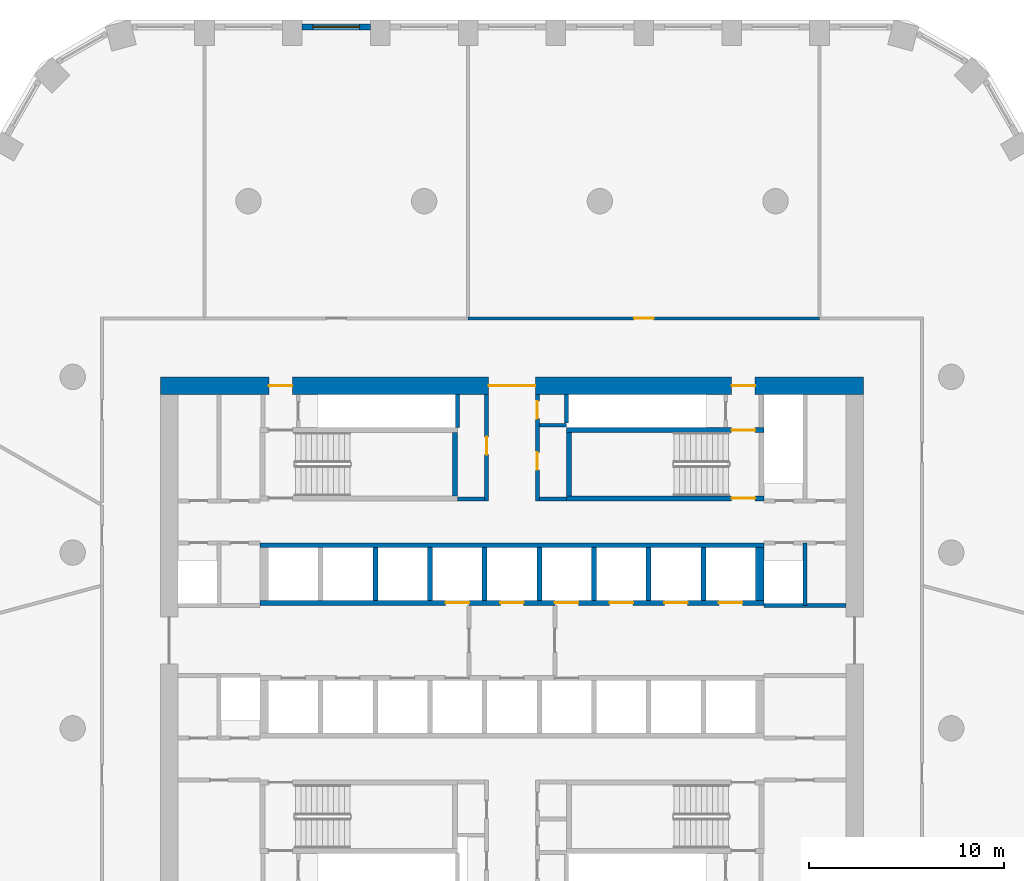
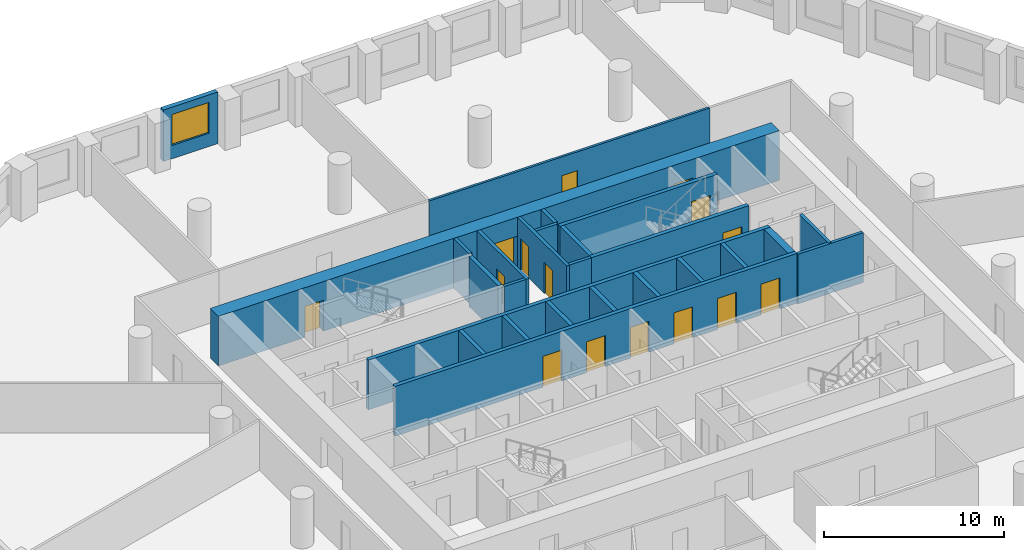
# One storey, part 6 of 9: 26 walls, 15 doors, 1 window, 16 openings.
"""IFC4 building model written with IfcOpenShell, lengths in metres."""

import ifcopenshell
import ifcopenshell.guid

model = None  # the IFC model being written
_history = None  # IfcOwnerHistory: only IFC2X3 demands one
_inside = {}  # id of a spatial element -> (the spatial element, [elements in it])
_under = {}  # id of a project, library or spatial element -> (it, [spatial elements below it])
_declared = {}  # id of a project -> (the project, [libraries it declares])
_typed = {}  # id of a type object -> (the type object, [elements of that type])
_made_of = {}  # id of a material, layer set ... -> (it, [elements and type objects made of it])


def new_model(schema):
    """Start an empty IFC model of exactly this schema.

    Asked for "IFC4X3", IfcOpenShell would pick the latest addendum, in which some entities
    have other attributes; the version numbers below select the first issue.
    IFC2X3 requires an IfcOwnerHistory on every rooted entity: one is made here for all.
    """
    global model, _history
    if schema == "IFC4X3":
        model = ifcopenshell.file(schema_version=(4, 3, 0, 0))
    else:
        model = ifcopenshell.file(schema=schema)
    _inside.clear()
    _under.clear()
    _declared.clear()
    _typed.clear()
    _made_of.clear()
    _history = None
    if model.schema == "IFC2X3":
        org = make("IfcOrganization", Name="unknown")
        user = make(
            "IfcPersonAndOrganization",
            ThePerson=make("IfcPerson", FamilyName="unknown"),
            TheOrganization=org,
        )
        app = make(
            "IfcApplication",
            ApplicationDeveloper=org,
            Version="unknown",
            ApplicationFullName="unknown",
            ApplicationIdentifier="unknown",
        )
        _history = make(
            "IfcOwnerHistory",
            OwningUser=user,
            OwningApplication=app,
            ChangeAction="ADDED",
            CreationDate=0,
        )
    return model


def make(cls, **values):
    """One entity of the class cls with the attributes given. An attribute that is None is left unset."""
    return model.create_entity(
        cls, **{name: value for name, value in values.items() if value is not None}
    )


def rooted(cls, **values):
    """An entity with a GlobalId (a new one), such as an element, a storey or a relation."""
    return make(cls, GlobalId=ifcopenshell.guid.new(), OwnerHistory=_history, **values)


def si_unit(unit_type, name, prefix=None):
    """IfcSIUnit, for example si_unit("LENGTHUNIT", "METRE", prefix="MILLI")."""
    return make("IfcSIUnit", UnitType=unit_type, Prefix=prefix, Name=name)


def assignment(units):
    """IfcUnitAssignment: the units of a project."""
    return None if units is None else make("IfcUnitAssignment", Units=units)


def point(xyz):
    """IfcCartesianPoint."""
    return None if xyz is None else make("IfcCartesianPoint", Coordinates=xyz)


def direction(xyz):
    """IfcDirection."""
    return None if xyz is None else make("IfcDirection", DirectionRatios=xyz)


def frame(location, z_axis=None, x_axis=None):
    """IfcAxis2Placement3D, a coordinate frame: its origin and axes. An axis left out is left unset."""
    return make(
        "IfcAxis2Placement3D",
        Location=point(location),
        Axis=direction(z_axis),
        RefDirection=direction(x_axis),
    )


def frame_2d(location, x_axis=None):
    """IfcAxis2Placement2D, a coordinate frame in the plane: its origin and x axis."""
    return make(
        "IfcAxis2Placement2D", Location=point(location), RefDirection=direction(x_axis)
    )


def origin():
    """The frame at (0, 0, 0) with its axes left unset."""
    return frame((0.0, 0.0, 0.0))


def place(relative_to, where):
    """IfcLocalPlacement: puts the frame where relative to a parent placement (None: the world)."""
    return make(
        "IfcLocalPlacement", PlacementRelTo=relative_to, RelativePlacement=where
    )


def context(
    kind, dimensions, precision=None, world=None, true_north=None, identifier=None
):
    """IfcGeometricRepresentationContext, for example the 3D "Model" context."""
    return make(
        "IfcGeometricRepresentationContext",
        ContextIdentifier=identifier,
        ContextType=kind,
        CoordinateSpaceDimension=dimensions,
        Precision=precision,
        WorldCoordinateSystem=world,
        TrueNorth=true_north,
    )


def subcontext(parent, identifier, kind, view, scale=None):
    """IfcGeometricRepresentationSubContext, for example "Body" below "Model"."""
    return make(
        "IfcGeometricRepresentationSubContext",
        ContextIdentifier=identifier,
        ContextType=kind,
        ParentContext=parent,
        TargetScale=scale,
        TargetView=view,
    )


def project(units=None, contexts=None):
    """IfcProject with its units and contexts."""
    return rooted(
        "IfcProject",
        Name="project",
        RepresentationContexts=contexts,
        UnitsInContext=assignment(units),
    )


def spatial(cls, under=None, at=None, **own):
    """A site, building, storey or space (cls), placed at a placement, below another one or the project."""
    s = rooted(cls, ObjectPlacement=at, **own)
    if under is not None:
        _under.setdefault(under.id(), (under, []))[1].append(s)
    return s


def polyline(points):
    """IfcPolyline through the points."""
    return make("IfcPolyline", Points=[point(p) for p in points])


def profile(cls, at=None, kind="AREA", **sizes):
    """A parametric profile (cls). Its sizes go by their IFC names, for example OverallWidth=200.0."""
    return make(cls, ProfileType=kind, Position=at, **sizes)


def rectangle(**sizes):
    """IfcRectangleProfileDef."""
    return profile("IfcRectangleProfileDef", **sizes)


def outline(outer, holes=None, kind="AREA"):
    """IfcArbitraryClosedProfileDef: a profile drawn as a closed curve; with holes, ...WithVoids."""
    if holes is None:
        return make("IfcArbitraryClosedProfileDef", ProfileType=kind, OuterCurve=outer)
    return make(
        "IfcArbitraryProfileDefWithVoids",
        ProfileType=kind,
        OuterCurve=outer,
        InnerCurves=holes,
    )


def extrude(swept, where, along, depth):
    """IfcExtrudedAreaSolid: the profile swept, set in the frame where, extruded along a direction by depth."""
    return make(
        "IfcExtrudedAreaSolid",
        SweptArea=swept,
        Position=where,
        ExtrudedDirection=direction(along),
        Depth=depth,
    )


def shape(context_of_items, identifier, shape_type, items):
    """IfcShapeRepresentation: the items that make up one representation, for example the "Body"."""
    return make(
        "IfcShapeRepresentation",
        ContextOfItems=context_of_items,
        RepresentationIdentifier=identifier,
        RepresentationType=shape_type,
        Items=items,
    )


def material(Name=None, Category=None):
    """IfcMaterial."""
    return make("IfcMaterial", Name=Name, Category=Category)


def layer(
    of_material, thickness, ventilated=None, Name=None, Category=None, Priority=None
):
    """IfcMaterialLayer: one layer of a wall or slab, of a material (None: an air gap)."""
    return make(
        "IfcMaterialLayer",
        Material=of_material,
        LayerThickness=thickness,
        IsVentilated=ventilated,
        Name=Name,
        Category=Category,
        Priority=Priority,
    )


def layer_set(layers, Name=None):
    """IfcMaterialLayerSet."""
    return make("IfcMaterialLayerSet", MaterialLayers=layers, LayerSetName=Name)


def made_of(thing, what):
    """Note that an element or type object is made of a material, layer set ...; save() writes the relation."""
    if what is not None:
        _made_of.setdefault(what.id(), (what, []))[1].append(thing)
    return thing


def type_object(cls, material=None, **own):
    """A type object (cls), such as IfcWallType, which elements share."""
    return made_of(rooted(cls, **own), material)


def element(
    cls,
    number,
    at=None,
    inside=None,
    cuts=None,
    type_object=None,
    material=None,
    context=None,
    identifier="Body",
    shape_type=None,
    held_by="IfcProductDefinitionShape",
    body=None,
    shapes=None,
    **own,
):
    """One element of the class cls, such as IfcWall. Its Tag is "e" and its number.

    at: its placement. inside: the storey or other place that contains it. cuts: it is an
    opening in that element (IfcRelVoidsElement). A single representation is given by context,
    identifier, shape_type and body (its items); several are given by shapes. held_by: the class
    of the entity that holds the representations. save() writes the other relations.
    """
    e = rooted(cls, Tag="e%d" % number, ObjectPlacement=at, **own)
    if body is not None:
        shapes = [shape(context, identifier, shape_type, body)]
    if shapes is not None:
        e.Representation = make(held_by, Representations=shapes)
    if inside is not None:
        _inside.setdefault(inside.id(), (inside, []))[1].append(e)
    if cuts is not None:
        rooted(
            "IfcRelVoidsElement", RelatingBuildingElement=cuts, RelatedOpeningElement=e
        )
    if type_object is not None:
        _typed.setdefault(type_object.id(), (type_object, []))[1].append(e)
    return made_of(e, material)


def fill(opening, filler):
    """IfcRelFillsElement: the door or window that sits in an opening."""
    return rooted(
        "IfcRelFillsElement",
        RelatingOpeningElement=opening,
        RelatedBuildingElement=filler,
    )


def aggregate(whole, parts):
    """IfcRelAggregates: a whole, such as a stair, and the parts it consists of."""
    return rooted("IfcRelAggregates", RelatingObject=whole, RelatedObjects=parts)


def save(model, path):
    """Write the relations noted so far, then the file.

    IfcRelAggregates (storeys below a building ...), IfcRelContainedInSpatialStructure (elements
    in a storey), IfcRelDefinesByType, IfcRelAssociatesMaterial and IfcRelDeclares: one each for
    every whole, place, type object, material and project.
    """
    for whole, parts in _under.values():
        aggregate(whole, parts)
    for where, things in _inside.values():
        rooted(
            "IfcRelContainedInSpatialStructure",
            RelatedElements=things,
            RelatingStructure=where,
        )
    for kind, things in _typed.values():
        rooted("IfcRelDefinesByType", RelatedObjects=things, RelatingType=kind)
    for what, things in _made_of.values():
        rooted("IfcRelAssociatesMaterial", RelatedObjects=things, RelatingMaterial=what)
    for by, libraries in _declared.values():
        rooted("IfcRelDeclares", RelatingContext=by, RelatedDefinitions=libraries)
    model.write(path)


model = new_model("IFC4")

# Units and contexts
model_context = context("Model", 3, precision=1e-05, world=origin(), true_north=direction((0.0, 1.0)))
body_context = subcontext(model_context, "Body", "Model", "MODEL_VIEW")
ifc_project = project(units=[si_unit("LENGTHUNIT", "METRE"), si_unit("AREAUNIT", "SQUARE_METRE"), si_unit("VOLUMEUNIT", "CUBIC_METRE"), si_unit("PLANEANGLEUNIT", "RADIAN"), si_unit("MASSUNIT", "GRAM", prefix="KILO")], contexts=[model_context])

# Site, building, storey
site_placement = place(None, origin())
site = spatial("IfcSite", under=ifc_project, at=site_placement, CompositionType="ELEMENT")
building_placement = place(site_placement, origin())
building = spatial("IfcBuilding", under=site, at=building_placement, Name="Dhurran Vertical Campus", CompositionType="ELEMENT")
storey_placement = place(building_placement, frame((0.0, 0.0, 124.199951171875)))
storey = spatial("IfcBuildingStorey", under=building, at=storey_placement, Name="L30", CompositionType="ELEMENT", Elevation=124.199951171875)

# Wall, opening, window
ifc_material_1 = material(Name="Precast concrete C50/60", Category="concrete")
ifc_layer_1 = layer(ifc_material_1, 0.300048828125)
ifc_layer_set_1 = layer_set([ifc_layer_1], Name="Precast concrete C50/60")
wall_type_1 = type_object("IfcWallType", Name="Precast spandrel wall 300", PredefinedType="SOLIDWALL", material=ifc_layer_set_1)
wall_1_placement = place(storey_placement, frame((-7.25048828125, 31.4296875, 0.0), z_axis=(0.0, 0.0, 1.0), x_axis=(-1.0, 0.0, 0.0)))
wall_1 = element("IfcWall", 1, at=wall_1_placement, inside=storey, type_object=wall_type_1, Name="EW1 L30.32", PredefinedType="SOLIDWALL", context=body_context, shape_type="SweptSolid", body=[
    extrude(rectangle(XDim=3.4990234375, YDim=0.300048828125, at=frame_2d((1.74951171875, 0.0))), origin(), (0.0, 0.0, 1.0), 3.5),
])
opening_1_placement = place(wall_1_placement, frame((0.549560546875, 0.0, 0.89990234375)))
opening_1 = element("IfcOpeningElement", 2, at=opening_1_placement, cuts=wall_1, Name="Opening WT1", PredefinedType="OPENING", context=body_context, shape_type="SweptSolid", body=[
    extrude(rectangle(XDim=2.39990234375, YDim=2.10009765625, at=frame_2d((1.199951171875, 1.050048828125))), frame((0.0, 0.159912109375, 0.0), z_axis=(0.0, -1.0, 0.0), x_axis=(1.0, 0.0, 0.0)), (0.0, 0.0, 1.0), 0.320068359375),
])
ifc_material_2 = material(Name="Aluminium frame with solar-control glass", Category="aluminium")
window_type = type_object("IfcWindowType", Name="Punched window 2400 x 2100", PartitioningType="SINGLE_PANEL", PredefinedType="WINDOW", material=ifc_material_2)
window_placement = place(opening_1_placement, origin())
window = element("IfcWindow", 3, at=window_placement, inside=storey, type_object=window_type, Name="WT1 L30.32", OverallHeight=2.10009765625, OverallWidth=2.39990234375, PartitioningType="SINGLE_PANEL", PredefinedType="WINDOW", context=body_context, shape_type="SweptSolid", body=[
    extrude(rectangle(XDim=2.39990234375, YDim=2.10009765625, at=frame_2d((1.199951171875, 1.050048828125))), frame((0.0, 0.030029296875, 0.0), z_axis=(0.0, -1.0, 0.0), x_axis=(1.0, 0.0, 0.0)), (0.0, 0.0, 1.0), 0.06005859375),
])
fill(opening_1, window)

# Wall, openings, doors
ifc_material_3 = material(Name="Concrete C60/75", Category="concrete")
ifc_layer_2 = layer(ifc_material_3, 0.89990234375)
ifc_layer_set_2 = layer_set([ifc_layer_2], Name="Concrete C60/75")
wall_type_2 = type_object("IfcWallType", Name="co-CORE-WALL-C0-900", PredefinedType="SHEAR", material=ifc_layer_set_2)
wall_2_placement = place(storey_placement, frame((-18.0, 13.050048828125, 0.0), z_axis=(0.0, 0.0, 1.0), x_axis=(1.0, 0.0, 0.0)))
wall_2 = element("IfcWall", 4, at=wall_2_placement, inside=storey, type_object=wall_type_2, Name="Core wall N L30", PredefinedType="SHEAR", context=body_context, shape_type="SweptSolid", body=[
    extrude(rectangle(XDim=36.0, YDim=0.89990234375, at=frame_2d((18.0, 0.0))), origin(), (0.0, 0.0, 1.0), 3.375),
])
opening_2_placement = place(wall_2_placement, frame((16.800048828125, 0.0, 0.0)))
opening_2 = element("IfcOpeningElement", 5, at=opening_2_placement, cuts=wall_2, Name="Opening CV1", PredefinedType="OPENING", context=body_context, shape_type="SweptSolid", body=[
    extrude(rectangle(XDim=2.39990234375, YDim=2.10009765625, at=frame_2d((1.199951171875, 1.050048828125))), frame((0.0, 0.4599609375, 0.0), z_axis=(0.0, -1.0, 0.0), x_axis=(1.0, 0.0, 0.0)), (0.0, 0.0, 1.0), 0.919921875),
])
opening_3_placement = place(wall_2_placement, frame((5.550048828125, 0.0, 0.0)))
opening_3 = element("IfcOpeningElement", 6, at=opening_3_placement, cuts=wall_2, Name="Opening XD1", PredefinedType="OPENING", context=body_context, shape_type="SweptSolid", body=[
    extrude(rectangle(XDim=1.199951171875, YDim=2.10009765625, at=frame_2d((0.60009765625, 1.050048828125))), frame((0.0, 0.4599609375, 0.0), z_axis=(0.0, -1.0, 0.0), x_axis=(1.0, 0.0, 0.0)), (0.0, 0.0, 1.0), 0.919921875),
])
opening_4_placement = place(wall_2_placement, frame((29.25, 0.0, 0.0)))
opening_4 = element("IfcOpeningElement", 7, at=opening_4_placement, cuts=wall_2, Name="Opening XD2", PredefinedType="OPENING", context=body_context, shape_type="SweptSolid", body=[
    extrude(rectangle(XDim=1.199951171875, YDim=2.10009765625, at=frame_2d((0.60009765625, 1.050048828125))), frame((0.0, 0.4599609375, 0.0), z_axis=(0.0, -1.0, 0.0), x_axis=(1.0, 0.0, 0.0)), (0.0, 0.0, 1.0), 0.919921875),
])
ifc_material_4 = material(Name="Fire-rated glazed door set")
door_type_1 = type_object("IfcDoorType", Name="co-D-LOBBY 2400x2100", OperationType="DOUBLE_DOOR_DOUBLE_SWING", PredefinedType="DOOR", material=ifc_material_4)
door_1_placement = place(opening_2_placement, origin())
door_1 = element("IfcDoor", 8, at=door_1_placement, inside=storey, type_object=door_type_1, Name="Core vestibule door N L30", OperationType="DOUBLE_DOOR_DOUBLE_SWING", OverallHeight=2.10009765625, OverallWidth=2.39990234375, PredefinedType="DOOR", context=body_context, shape_type="SweptSolid", body=[
    extrude(rectangle(XDim=2.39990234375, YDim=2.10009765625, at=frame_2d((1.199951171875, 1.050048828125))), frame((0.0, 0.02490234375, 0.0), z_axis=(0.0, -1.0, 0.0), x_axis=(1.0, 0.0, 0.0)), (0.0, 0.0, 1.0), 0.050048828125),
])
fill(opening_2, door_1)
ifc_material_5 = material(Name="Fire-rated steel door set", Category="steel")
door_type_2 = type_object("IfcDoorType", Name="co-D-STAIR-EXIT 1200x2100", OperationType="SINGLE_SWING_RIGHT", PredefinedType="DOOR", material=ifc_material_5)
door_2_placement = place(opening_3_placement, origin())
door_2 = element("IfcDoor", 9, at=door_2_placement, inside=storey, type_object=door_type_2, Name="Stair ST1 exit door L30", OperationType="SINGLE_SWING_RIGHT", OverallHeight=2.10009765625, OverallWidth=1.199951171875, PredefinedType="DOOR", context=body_context, shape_type="SweptSolid", body=[
    extrude(rectangle(XDim=1.199951171875, YDim=2.10009765625, at=frame_2d((0.60009765625, 1.050048828125))), frame((0.0, 0.02490234375, 0.0), z_axis=(0.0, -1.0, 0.0), x_axis=(1.0, 0.0, 0.0)), (0.0, 0.0, 1.0), 0.050048828125),
])
fill(opening_3, door_2)
door_3_placement = place(opening_4_placement, origin())
door_3 = element("IfcDoor", 10, at=door_3_placement, inside=storey, type_object=door_type_2, Name="Stair ST2 exit door L30", OperationType="SINGLE_SWING_RIGHT", OverallHeight=2.10009765625, OverallWidth=1.199951171875, PredefinedType="DOOR", context=body_context, shape_type="SweptSolid", body=[
    extrude(rectangle(XDim=1.199951171875, YDim=2.10009765625, at=frame_2d((0.60009765625, 1.050048828125))), frame((0.0, 0.02490234375, 0.0), z_axis=(0.0, -1.0, 0.0), x_axis=(1.0, 0.0, 0.0)), (0.0, 0.0, 1.0), 0.050048828125),
])
fill(opening_4, door_3)

# Walls
ifc_material_6 = material(Name="Fire-rated masonry blockwork", Category="masonry")
ifc_layer_3 = layer(ifc_material_6, 0.199951171875)
ifc_layer_set_3 = layer_set([ifc_layer_3], Name="Fire-rated masonry blockwork")
wall_type_3 = type_object("IfcWallType", Name="co-FIRE-PARTITION-200", PredefinedType="PARTITIONING", material=ifc_layer_set_3)
for number, where, z_axis, x_axis, name in (
    (11, (-2.800048828125, 7.25, 0.0), (0.0, 0.0, 1.0), (1.0, 0.0, 0.0), "Core partition sl-NW-S L30"),
    (12, (1.39990234375, 7.25, 0.0), (0.0, 0.0, 1.0), (1.0, 0.0, 0.0), "Core partition sl-NE-S L30"),
    (13, (1.39990234375, 11.02490234375, 0.0), (0.0, 0.0, 1.0), (1.0, 0.0, 0.0), "Core partition sl-NE-cut0 L30"),
):
    element("IfcWall", number, at=place(storey_placement, frame(where, z_axis=z_axis, x_axis=x_axis)), inside=storey, type_object=wall_type_3, Name=name, PredefinedType="PARTITIONING", context=body_context, shape_type="SweptSolid", body=[
        extrude(rectangle(XDim=1.400146484375, YDim=0.199951171875, at=frame_2d((0.7001953125, 0.0))), origin(), (0.0, 0.0, 1.0), 3.375),
    ])

# Wall, opening, door
wall_3_placement = place(storey_placement, frame((-1.300048828125, 7.14990234375, 0.0), z_axis=(0.0, 0.0, 1.0), x_axis=(0.0, 1.0, 0.0)))
wall_3 = element("IfcWall", 14, at=wall_3_placement, inside=storey, type_object=wall_type_3, Name="Core partition vest-NW L30", PredefinedType="PARTITIONING", context=body_context, shape_type="SweptSolid", body=[
    extrude(rectangle(XDim=5.4501953125, YDim=0.199951171875, at=frame_2d((2.72509765625, 0.0))), origin(), (0.0, 0.0, 1.0), 3.375),
])
opening_5_placement = place(wall_3_placement, frame((2.375, 0.0, 0.0)))
opening_5 = element("IfcOpeningElement", 15, at=opening_5_placement, cuts=wall_3, Name="Opening T08-C6", PredefinedType="OPENING", context=body_context, shape_type="SweptSolid", body=[
    extrude(rectangle(XDim=0.89990234375, YDim=2.10009765625, at=frame_2d((0.449951171875, 1.050048828125))), frame((0.0, 0.10986328125, 0.0), z_axis=(0.0, -1.0, 0.0), x_axis=(1.0, 0.0, 0.0)), (0.0, 0.0, 1.0), 0.219970703125),
])
ifc_material_7 = material(Name="Fire-rated timber door set", Category="wood")
door_type_3 = type_object("IfcDoorType", Name="co-D-ROOM 900x2100", OperationType="SINGLE_SWING_LEFT", PredefinedType="DOOR", material=ifc_material_7)
door_4_placement = place(opening_5_placement, origin())
door_4 = element("IfcDoor", 16, at=door_4_placement, inside=storey, type_object=door_type_3, Name="Housekeeping store door L30", OperationType="SINGLE_SWING_LEFT", OverallHeight=2.10009765625, OverallWidth=0.89990234375, PredefinedType="DOOR", context=body_context, shape_type="SweptSolid", body=[
    extrude(rectangle(XDim=0.89990234375, YDim=2.10009765625, at=frame_2d((0.449951171875, 1.050048828125))), frame((0.0, 0.02490234375, 0.0), z_axis=(0.0, -1.0, 0.0), x_axis=(1.0, 0.0, 0.0)), (0.0, 0.0, 1.0), 0.050048828125),
])
fill(opening_5, door_4)

# Wall, openings, doors
wall_4_placement = place(storey_placement, frame((1.300048828125, 7.14990234375, 0.0), z_axis=(0.0, 0.0, 1.0), x_axis=(0.0, 1.0, 0.0)))
wall_4 = element("IfcWall", 17, at=wall_4_placement, inside=storey, type_object=wall_type_3, Name="Core partition vest-NE L30", PredefinedType="PARTITIONING", context=body_context, shape_type="SweptSolid", body=[
    extrude(rectangle(XDim=5.4501953125, YDim=0.199951171875, at=frame_2d((2.72509765625, 0.0))), origin(), (0.0, 0.0, 1.0), 3.375),
])
opening_6_placement = place(wall_4_placement, frame((1.58740234375, 0.0, 0.0)))
opening_6 = element("IfcOpeningElement", 18, at=opening_6_placement, cuts=wall_4, Name="Opening T08-C7", PredefinedType="OPENING", context=body_context, shape_type="SweptSolid", body=[
    extrude(rectangle(XDim=0.89990234375, YDim=2.10009765625, at=frame_2d((0.449951171875, 1.050048828125))), frame((0.0, 0.10986328125, 0.0), z_axis=(0.0, -1.0, 0.0), x_axis=(1.0, 0.0, 0.0)), (0.0, 0.0, 1.0), 0.219970703125),
])
opening_7_placement = place(wall_4_placement, frame((4.21240234375, 0.0, 0.0)))
opening_7 = element("IfcOpeningElement", 19, at=opening_7_placement, cuts=wall_4, Name="Opening T08-C8", PredefinedType="OPENING", context=body_context, shape_type="SweptSolid", body=[
    extrude(rectangle(XDim=0.89990234375, YDim=2.10009765625, at=frame_2d((0.449951171875, 1.050048828125))), frame((0.0, 0.10986328125, 0.0), z_axis=(0.0, -1.0, 0.0), x_axis=(1.0, 0.0, 0.0)), (0.0, 0.0, 1.0), 0.219970703125),
])
door_5_placement = place(opening_6_placement, origin())
door_5 = element("IfcDoor", 20, at=door_5_placement, inside=storey, type_object=door_type_3, Name="Fire equipment store door L30", OperationType="SINGLE_SWING_LEFT", OverallHeight=2.10009765625, OverallWidth=0.89990234375, PredefinedType="DOOR", context=body_context, shape_type="SweptSolid", body=[
    extrude(rectangle(XDim=0.89990234375, YDim=2.10009765625, at=frame_2d((0.449951171875, 1.050048828125))), frame((0.0, 0.02490234375, 0.0), z_axis=(0.0, -1.0, 0.0), x_axis=(1.0, 0.0, 0.0)), (0.0, 0.0, 1.0), 0.050048828125),
])
fill(opening_6, door_5)
door_6_placement = place(opening_7_placement, origin())
door_6 = element("IfcDoor", 21, at=door_6_placement, inside=storey, type_object=door_type_3, Name="Communications room door L30", OperationType="SINGLE_SWING_LEFT", OverallHeight=2.10009765625, OverallWidth=0.89990234375, PredefinedType="DOOR", context=body_context, shape_type="SweptSolid", body=[
    extrude(rectangle(XDim=0.89990234375, YDim=2.10009765625, at=frame_2d((0.449951171875, 1.050048828125))), frame((0.0, 0.02490234375, 0.0), z_axis=(0.0, -1.0, 0.0), x_axis=(1.0, 0.0, 0.0)), (0.0, 0.0, 1.0), 0.050048828125),
])
fill(opening_7, door_6)

# Walls
wall_5_placement = place(storey_placement, frame((15.0, 1.800048828125, 0.0), z_axis=(0.0, 0.0, 1.0), x_axis=(0.0, 1.0, 0.0)))
element("IfcWall", 22, at=wall_5_placement, inside=storey, type_object=wall_type_3, Name="Core partition es-NE-cut0 L30", PredefinedType="PARTITIONING", context=body_context, shape_type="SweptSolid", body=[
    extrude(rectangle(XDim=3.199951171875, YDim=0.199951171875, at=frame_2d((1.60009765625, 0.0))), origin(), (0.0, 0.0, 1.0), 3.375),
])
wall_6_placement = place(storey_placement, frame((12.89990234375, 1.800048828125, 0.0), z_axis=(0.0, 0.0, 1.0), x_axis=(1.0, 0.0, 0.0)))
element("IfcWall", 23, at=wall_6_placement, inside=storey, type_object=wall_type_3, Name="Core partition es-NE-l L30", PredefinedType="PARTITIONING", context=body_context, shape_type="SweptSolid", body=[
    extrude(rectangle(XDim=4.2001953125, YDim=0.199951171875, at=frame_2d((2.10009765625, 0.0))), origin(), (0.0, 0.0, 1.0), 3.375),
])
wall_7_placement = place(storey_placement, frame((-2.800048828125, 10.90087890625, 0.0), z_axis=(0.0, 0.0, 1.0), x_axis=(0.0, 1.0, 0.0)))
element("IfcWall", 24, at=wall_7_placement, inside=storey, type_object=wall_type_3, Name="Riser enclosure wall L30", PredefinedType="PARTITIONING", context=body_context, shape_type="SweptSolid", body=[
    extrude(rectangle(XDim=1.6982421875, YDim=0.199951171875, at=frame_2d((0.84912109375, 0.0))), origin(), (0.0, 0.0, 1.0), 3.375),
])
wall_8_placement = place(storey_placement, frame((2.800048828125, 12.59912109375, 0.0), z_axis=(0.0, 0.0, 1.0), x_axis=(0.0, -1.0, 0.0)))
element("IfcWall", 25, at=wall_8_placement, inside=storey, type_object=wall_type_3, Name="Riser enclosure wall L30", PredefinedType="PARTITIONING", context=body_context, shape_type="SweptSolid", body=[
    extrude(rectangle(XDim=1.47314453125, YDim=0.199951171875, at=frame_2d((0.736572265625, 0.0))), origin(), (0.0, 0.0, 1.0), 3.375),
])

# Wall, openings, doors
ifc_material_8 = material(Name="Concrete C50/60", Category="concrete")
ifc_layer_4 = layer(ifc_material_8, 0.25)
ifc_layer_set_4 = layer_set([ifc_layer_4], Name="Concrete C50/60")
wall_type_4 = type_object("IfcWallType", Name="co-SHAFT-FRONT-250", PredefinedType="SHEAR", material=ifc_layer_set_4)
wall_9_placement = place(storey_placement, frame((-12.89990234375, 1.925048828125, 0.0), z_axis=(0.0, 0.0, 1.0), x_axis=(1.0, 0.0, 0.0)))
wall_9 = element("IfcWall", 26, at=wall_9_placement, inside=storey, type_object=wall_type_4, Name="Lift landing wall N L30", PredefinedType="SHEAR", context=body_context, shape_type="SweptSolid", body=[
    extrude(rectangle(XDim=25.7998046875, YDim=0.25, at=frame_2d((12.89990234375, 0.0))), origin(), (0.0, 0.0, 1.0), 3.375),
])
opening_8_placement = place(wall_9_placement, frame((9.5, 0.0, 0.0)))
opening_8 = element("IfcOpeningElement", 27, at=opening_8_placement, cuts=wall_9, Name="Opening LD", PredefinedType="OPENING", context=body_context, shape_type="SweptSolid", body=[
    extrude(rectangle(XDim=1.199951171875, YDim=2.10009765625, at=frame_2d((0.60009765625, 1.050048828125))), frame((0.0, 0.135009765625, 0.0), z_axis=(0.0, -1.0, 0.0), x_axis=(1.0, 0.0, 0.0)), (0.0, 0.0, 1.0), 0.27001953125),
])
opening_9_placement = place(wall_9_placement, frame((12.300048828125, 0.0, 0.0)))
opening_9 = element("IfcOpeningElement", 28, at=opening_9_placement, cuts=wall_9, Name="Opening LD", PredefinedType="OPENING", context=body_context, shape_type="SweptSolid", body=[
    extrude(rectangle(XDim=1.199951171875, YDim=2.10009765625, at=frame_2d((0.60009765625, 1.050048828125))), frame((0.0, 0.135009765625, 0.0), z_axis=(0.0, -1.0, 0.0), x_axis=(1.0, 0.0, 0.0)), (0.0, 0.0, 1.0), 0.27001953125),
])
opening_10_placement = place(wall_9_placement, frame((15.10009765625, 0.0, 0.0)))
opening_10 = element("IfcOpeningElement", 29, at=opening_10_placement, cuts=wall_9, Name="Opening LD", PredefinedType="OPENING", context=body_context, shape_type="SweptSolid", body=[
    extrude(rectangle(XDim=1.199951171875, YDim=2.10009765625, at=frame_2d((0.60009765625, 1.050048828125))), frame((0.0, 0.135009765625, 0.0), z_axis=(0.0, -1.0, 0.0), x_axis=(1.0, 0.0, 0.0)), (0.0, 0.0, 1.0), 0.27001953125),
])
opening_11_placement = place(wall_9_placement, frame((17.89990234375, 0.0, 0.0)))
opening_11 = element("IfcOpeningElement", 30, at=opening_11_placement, cuts=wall_9, Name="Opening LD", PredefinedType="OPENING", context=body_context, shape_type="SweptSolid", body=[
    extrude(rectangle(XDim=1.199951171875, YDim=2.10009765625, at=frame_2d((0.60009765625, 1.050048828125))), frame((0.0, 0.135009765625, 0.0), z_axis=(0.0, -1.0, 0.0), x_axis=(1.0, 0.0, 0.0)), (0.0, 0.0, 1.0), 0.27001953125),
])
opening_12_placement = place(wall_9_placement, frame((20.699951171875, 0.0, 0.0)))
opening_12 = element("IfcOpeningElement", 31, at=opening_12_placement, cuts=wall_9, Name="Opening LD", PredefinedType="OPENING", context=body_context, shape_type="SweptSolid", body=[
    extrude(rectangle(XDim=1.199951171875, YDim=2.10009765625, at=frame_2d((0.60009765625, 1.050048828125))), frame((0.0, 0.135009765625, 0.0), z_axis=(0.0, -1.0, 0.0), x_axis=(1.0, 0.0, 0.0)), (0.0, 0.0, 1.0), 0.27001953125),
])
opening_13_placement = place(wall_9_placement, frame((23.5, 0.0, 0.0)))
opening_13 = element("IfcOpeningElement", 32, at=opening_13_placement, cuts=wall_9, Name="Opening LD", PredefinedType="OPENING", context=body_context, shape_type="SweptSolid", body=[
    extrude(rectangle(XDim=1.199951171875, YDim=2.10009765625, at=frame_2d((0.60009765625, 1.050048828125))), frame((0.0, 0.135009765625, 0.0), z_axis=(0.0, -1.0, 0.0), x_axis=(1.0, 0.0, 0.0)), (0.0, 0.0, 1.0), 0.27001953125),
])
ifc_material_9 = material(Name="Stainless steel landing door", Category="steel")
door_type_4 = type_object("IfcDoorType", Name="co-D-LANDING 1200x2100", OperationType="DOUBLE_DOOR_SLIDING", PredefinedType="DOOR", material=ifc_material_9)
door_7_placement = place(opening_8_placement, origin())
door_7 = element("IfcDoor", 33, at=door_7_placement, inside=storey, type_object=door_type_4, Name="Landing door LR1 L30", OperationType="DOUBLE_DOOR_SLIDING", OverallHeight=2.10009765625, OverallWidth=1.199951171875, PredefinedType="DOOR", context=body_context, shape_type="SweptSolid", body=[
    extrude(rectangle(XDim=1.199951171875, YDim=2.10009765625, at=frame_2d((0.60009765625, 1.050048828125))), frame((0.0, 0.02490234375, 0.0), z_axis=(0.0, -1.0, 0.0), x_axis=(1.0, 0.0, 0.0)), (0.0, 0.0, 1.0), 0.050048828125),
])
fill(opening_8, door_7)
door_8_placement = place(opening_9_placement, origin())
door_8 = element("IfcDoor", 34, at=door_8_placement, inside=storey, type_object=door_type_4, Name="Landing door FF1 L30", OperationType="DOUBLE_DOOR_SLIDING", OverallHeight=2.10009765625, OverallWidth=1.199951171875, PredefinedType="DOOR", context=body_context, shape_type="SweptSolid", body=[
    extrude(rectangle(XDim=1.199951171875, YDim=2.10009765625, at=frame_2d((0.60009765625, 1.050048828125))), frame((0.0, 0.02490234375, 0.0), z_axis=(0.0, -1.0, 0.0), x_axis=(1.0, 0.0, 0.0)), (0.0, 0.0, 1.0), 0.050048828125),
])
fill(opening_9, door_8)
door_9_placement = place(opening_10_placement, origin())
door_9 = element("IfcDoor", 35, at=door_9_placement, inside=storey, type_object=door_type_4, Name="Landing door LR2 L30", OperationType="DOUBLE_DOOR_SLIDING", OverallHeight=2.10009765625, OverallWidth=1.199951171875, PredefinedType="DOOR", context=body_context, shape_type="SweptSolid", body=[
    extrude(rectangle(XDim=1.199951171875, YDim=2.10009765625, at=frame_2d((0.60009765625, 1.050048828125))), frame((0.0, 0.02490234375, 0.0), z_axis=(0.0, -1.0, 0.0), x_axis=(1.0, 0.0, 0.0)), (0.0, 0.0, 1.0), 0.050048828125),
])
fill(opening_10, door_9)
door_10_placement = place(opening_11_placement, origin())
door_10 = element("IfcDoor", 36, at=door_10_placement, inside=storey, type_object=door_type_4, Name="Landing door LR3 L30", OperationType="DOUBLE_DOOR_SLIDING", OverallHeight=2.10009765625, OverallWidth=1.199951171875, PredefinedType="DOOR", context=body_context, shape_type="SweptSolid", body=[
    extrude(rectangle(XDim=1.199951171875, YDim=2.10009765625, at=frame_2d((0.60009765625, 1.050048828125))), frame((0.0, 0.02490234375, 0.0), z_axis=(0.0, -1.0, 0.0), x_axis=(1.0, 0.0, 0.0)), (0.0, 0.0, 1.0), 0.050048828125),
])
fill(opening_11, door_10)
door_11_placement = place(opening_12_placement, origin())
door_11 = element("IfcDoor", 37, at=door_11_placement, inside=storey, type_object=door_type_4, Name="Landing door LR4 L30", OperationType="DOUBLE_DOOR_SLIDING", OverallHeight=2.10009765625, OverallWidth=1.199951171875, PredefinedType="DOOR", context=body_context, shape_type="SweptSolid", body=[
    extrude(rectangle(XDim=1.199951171875, YDim=2.10009765625, at=frame_2d((0.60009765625, 1.050048828125))), frame((0.0, 0.02490234375, 0.0), z_axis=(0.0, -1.0, 0.0), x_axis=(1.0, 0.0, 0.0)), (0.0, 0.0, 1.0), 0.050048828125),
])
fill(opening_12, door_11)
door_12_placement = place(opening_13_placement, origin())
door_12 = element("IfcDoor", 38, at=door_12_placement, inside=storey, type_object=door_type_4, Name="Landing door SV2 L30", OperationType="DOUBLE_DOOR_SLIDING", OverallHeight=2.10009765625, OverallWidth=1.199951171875, PredefinedType="DOOR", context=body_context, shape_type="SweptSolid", body=[
    extrude(rectangle(XDim=1.199951171875, YDim=2.10009765625, at=frame_2d((0.60009765625, 1.050048828125))), frame((0.0, 0.02490234375, 0.0), z_axis=(0.0, -1.0, 0.0), x_axis=(1.0, 0.0, 0.0)), (0.0, 0.0, 1.0), 0.050048828125),
])
fill(opening_13, door_12)

# Walls
ifc_material_10 = material(Name="Concrete C50/60", Category="concrete")
ifc_layer_5 = layer(ifc_material_10, 0.25)
ifc_layer_set_5 = layer_set([ifc_layer_5], Name="Concrete C50/60")
wall_type_5 = type_object("IfcWallType", Name="co-SHAFT-MASS-250", PredefinedType="SHEAR", material=ifc_layer_set_5)
wall_10_placement = place(storey_placement, origin())
element("IfcWall", 39, at=wall_10_placement, inside=storey, type_object=wall_type_5, Name="Lift shaft wall N L30 1", PredefinedType="SHEAR", context=body_context, shape_type="SweptSolid", body=[
    extrude(outline(polyline([(-12.89990234375, 4.75), (12.89990234375, 4.75), (12.89990234375, 5.0), (-12.89990234375, 5.0), (-12.89990234375, 4.75)])), origin(), (0.0, 0.0, 1.0), 3.375),
])
wall_11_placement = place(storey_placement, origin())
element("IfcWall", 40, at=wall_11_placement, inside=storey, type_object=wall_type_5, Name="Lift shaft wall N L30 4", PredefinedType="SHEAR", context=body_context, shape_type="SweptSolid", body=[
    extrude(outline(polyline([(-7.125, 2.050048828125), (-6.875, 2.050048828125), (-6.875, 4.75), (-7.125, 4.75), (-7.125, 2.050048828125)])), origin(), (0.0, 0.0, 1.0), 3.375),
])
wall_12_placement = place(storey_placement, origin())
element("IfcWall", 41, at=wall_12_placement, inside=storey, type_object=wall_type_5, Name="Lift shaft wall N L30 5", PredefinedType="SHEAR", context=body_context, shape_type="SweptSolid", body=[
    extrude(outline(polyline([(-4.324951171875, 2.050048828125), (-4.074951171875, 2.050048828125), (-4.074951171875, 4.75), (-4.324951171875, 4.75), (-4.324951171875, 2.050048828125)])), origin(), (0.0, 0.0, 1.0), 3.375),
])
wall_13_placement = place(storey_placement, origin())
element("IfcWall", 42, at=wall_13_placement, inside=storey, type_object=wall_type_5, Name="Lift shaft wall N L30 6", PredefinedType="SHEAR", context=body_context, shape_type="SweptSolid", body=[
    extrude(outline(polyline([(-1.52490234375, 2.050048828125), (-1.27490234375, 2.050048828125), (-1.27490234375, 4.75), (-1.52490234375, 4.75), (-1.52490234375, 2.050048828125)])), origin(), (0.0, 0.0, 1.0), 3.375),
])
wall_14_placement = place(storey_placement, origin())
element("IfcWall", 43, at=wall_14_placement, inside=storey, type_object=wall_type_5, Name="Lift shaft wall N L30 7", PredefinedType="SHEAR", context=body_context, shape_type="SweptSolid", body=[
    extrude(outline(polyline([(1.27490234375, 2.050048828125), (1.52490234375, 2.050048828125), (1.52490234375, 4.75), (1.27490234375, 4.75), (1.27490234375, 2.050048828125)])), origin(), (0.0, 0.0, 1.0), 3.375),
])
wall_15_placement = place(storey_placement, origin())
element("IfcWall", 44, at=wall_15_placement, inside=storey, type_object=wall_type_5, Name="Lift shaft wall N L30 8", PredefinedType="SHEAR", context=body_context, shape_type="SweptSolid", body=[
    extrude(outline(polyline([(4.074951171875, 2.050048828125), (4.324951171875, 2.050048828125), (4.324951171875, 4.75), (4.074951171875, 4.75), (4.074951171875, 2.050048828125)])), origin(), (0.0, 0.0, 1.0), 3.375),
])
wall_16_placement = place(storey_placement, origin())
element("IfcWall", 45, at=wall_16_placement, inside=storey, type_object=wall_type_5, Name="Lift shaft wall N L30 9", PredefinedType="SHEAR", context=body_context, shape_type="SweptSolid", body=[
    extrude(outline(polyline([(6.875, 2.050048828125), (7.125, 2.050048828125), (7.125, 4.75), (6.875, 4.75), (6.875, 2.050048828125)])), origin(), (0.0, 0.0, 1.0), 3.375),
])
wall_17_placement = place(storey_placement, origin())
element("IfcWall", 46, at=wall_17_placement, inside=storey, type_object=wall_type_5, Name="Lift shaft wall N L30 10", PredefinedType="SHEAR", context=body_context, shape_type="SweptSolid", body=[
    extrude(outline(polyline([(9.675048828125, 2.050048828125), (9.925048828125, 2.050048828125), (9.925048828125, 4.75), (9.675048828125, 4.75), (9.675048828125, 2.050048828125)])), origin(), (0.0, 0.0, 1.0), 3.375),
])
wall_18_placement = place(storey_placement, origin())
element("IfcWall", 47, at=wall_18_placement, inside=storey, type_object=wall_type_5, Name="Lift shaft wall N L30 11", PredefinedType="SHEAR", context=body_context, shape_type="SweptSolid", body=[
    extrude(outline(polyline([(12.47509765625, 2.050048828125), (12.89990234375, 2.050048828125), (12.89990234375, 4.75), (12.47509765625, 4.75), (12.47509765625, 2.050048828125)])), origin(), (0.0, 0.0, 1.0), 3.375),
])
ifc_material_11 = material(Name="Concrete C40/50", Category="concrete")
ifc_layer_6 = layer(ifc_material_11, 0.25)
ifc_layer_set_6 = layer_set([ifc_layer_6], Name="Concrete C40/50")
wall_type_6 = type_object("IfcWallType", Name="co-STAIR-WALL-250", PredefinedType="SHEAR", material=ifc_layer_set_6)
wall_19_placement = place(storey_placement, frame((-2.925048828125, 7.39990234375, 0.0), z_axis=(0.0, 0.0, 1.0), x_axis=(0.0, 1.0, 0.0)))
element("IfcWall", 48, at=wall_19_placement, inside=storey, type_object=wall_type_6, Name="Stair ST1 enclosure wall L30", PredefinedType="SHEAR", context=body_context, shape_type="SweptSolid", body=[
    extrude(rectangle(XDim=3.25, YDim=0.25, at=frame_2d((1.625, 0.0))), origin(), (0.0, 0.0, 1.0), 3.375),
])

# Wall, opening, door
wall_20_placement = place(storey_placement, frame((2.800048828125, 7.27490234375, 0.0), z_axis=(0.0, 0.0, 1.0), x_axis=(1.0, 0.0, 0.0)))
wall_20 = element("IfcWall", 49, at=wall_20_placement, inside=storey, type_object=wall_type_6, Name="Stair ST2 enclosure wall L30", PredefinedType="SHEAR", context=body_context, shape_type="SweptSolid", body=[
    extrude(rectangle(XDim=10.099853515625, YDim=0.25, at=frame_2d((5.0498046875, 0.0))), origin(), (0.0, 0.0, 1.0), 3.375),
])
opening_14_placement = place(wall_20_placement, frame((8.449951171875, 0.0, 0.0)))
opening_14 = element("IfcOpeningElement", 50, at=opening_14_placement, cuts=wall_20, Name="Opening SD2", PredefinedType="OPENING", context=body_context, shape_type="SweptSolid", body=[
    extrude(rectangle(XDim=1.199951171875, YDim=2.10009765625, at=frame_2d((0.60009765625, 1.050048828125))), frame((0.0, 0.135009765625, 0.0), z_axis=(0.0, -1.0, 0.0), x_axis=(1.0, 0.0, 0.0)), (0.0, 0.0, 1.0), 0.27001953125),
])
ifc_material_12 = material(Name="Fire-rated steel door set", Category="steel")
door_type_5 = type_object("IfcDoorType", Name="co-D-STAIR 1200x2100", OperationType="SINGLE_SWING_LEFT", PredefinedType="DOOR", material=ifc_material_12)
door_13_placement = place(opening_14_placement, origin())
door_13 = element("IfcDoor", 51, at=door_13_placement, inside=storey, type_object=door_type_5, Name="Stair ST2 door L30", OperationType="SINGLE_SWING_LEFT", OverallHeight=2.10009765625, OverallWidth=1.199951171875, PredefinedType="DOOR", context=body_context, shape_type="SweptSolid", body=[
    extrude(rectangle(XDim=1.199951171875, YDim=2.10009765625, at=frame_2d((0.60009765625, 1.050048828125))), frame((0.0, 0.02490234375, 0.0), z_axis=(0.0, -1.0, 0.0), x_axis=(1.0, 0.0, 0.0)), (0.0, 0.0, 1.0), 0.050048828125),
])
fill(opening_14, door_13)

wall_21_placement = place(storey_placement, frame((2.800048828125, 10.77490234375, 0.0), z_axis=(0.0, 0.0, 1.0), x_axis=(1.0, 0.0, 0.0)))
wall_21 = element("IfcWall", 52, at=wall_21_placement, inside=storey, type_object=wall_type_6, Name="Stair ST2 enclosure wall L30", PredefinedType="SHEAR", context=body_context, shape_type="SweptSolid", body=[
    extrude(rectangle(XDim=10.099853515625, YDim=0.25, at=frame_2d((5.0498046875, 0.0))), origin(), (0.0, 0.0, 1.0), 3.375),
])
opening_15_placement = place(wall_21_placement, frame((8.449951171875, 0.0, 0.0)))
opening_15 = element("IfcOpeningElement", 53, at=opening_15_placement, cuts=wall_21, Name="Opening XS2", PredefinedType="OPENING", context=body_context, shape_type="SweptSolid", body=[
    extrude(rectangle(XDim=1.199951171875, YDim=2.10009765625, at=frame_2d((0.60009765625, 1.050048828125))), frame((0.0, 0.135009765625, 0.0), z_axis=(0.0, -1.0, 0.0), x_axis=(1.0, 0.0, 0.0)), (0.0, 0.0, 1.0), 0.27001953125),
])
door_14_placement = place(opening_15_placement, origin())
door_14 = element("IfcDoor", 54, at=door_14_placement, inside=storey, type_object=door_type_2, Name="Stair ST2 discharge door L30", OperationType="SINGLE_SWING_RIGHT", OverallHeight=2.10009765625, OverallWidth=1.199951171875, PredefinedType="DOOR", context=body_context, shape_type="SweptSolid", body=[
    extrude(rectangle(XDim=1.199951171875, YDim=2.10009765625, at=frame_2d((0.60009765625, 1.050048828125))), frame((0.0, 0.02490234375, 0.0), z_axis=(0.0, -1.0, 0.0), x_axis=(1.0, 0.0, 0.0)), (0.0, 0.0, 1.0), 0.050048828125),
])
fill(opening_15, door_14)

# Wall
wall_22_placement = place(storey_placement, frame((2.925048828125, 7.39990234375, 0.0), z_axis=(0.0, 0.0, 1.0), x_axis=(0.0, 1.0, 0.0)))
element("IfcWall", 55, at=wall_22_placement, inside=storey, type_object=wall_type_6, Name="Stair ST2 enclosure wall L30", PredefinedType="SHEAR", context=body_context, shape_type="SweptSolid", body=[
    extrude(rectangle(XDim=3.25, YDim=0.25, at=frame_2d((1.625, 0.0))), origin(), (0.0, 0.0, 1.0), 3.375),
])

# Wall, opening, door
ifc_material_13 = material(Name="Gypsum board corridor wall on steel studs", Category="steel")
ifc_layer_7 = layer(ifc_material_13, 0.14990234375)
ifc_layer_set_7 = layer_set([ifc_layer_7], Name="Gypsum board corridor wall on steel studs")
wall_type_7 = type_object("IfcWallType", Name="fl-CW-150 corridor wall", PredefinedType="PARTITIONING", material=ifc_layer_set_7)
wall_23_placement = place(storey_placement, frame((15.75, 16.5, 0.0), z_axis=(0.0, 0.0, 1.0), x_axis=(-1.0, 0.0, 0.0)))
wall_23 = element("IfcWall", 56, at=wall_23_placement, inside=storey, type_object=wall_type_7, Name="Partition 30-21", PredefinedType="PARTITIONING", context=body_context, shape_type="SweptSolid", body=[
    extrude(rectangle(XDim=18.0, YDim=0.14990234375, at=frame_2d((9.0, 0.0))), origin(), (0.0, 0.0, 1.0), 3.375),
])
opening_16_placement = place(wall_23_placement, frame((8.5, 0.0, 0.0)))
opening_16 = element("IfcOpeningElement", 57, at=opening_16_placement, cuts=wall_23, Name="Opening T08.09", PredefinedType="OPENING", context=body_context, shape_type="SweptSolid", body=[
    extrude(rectangle(XDim=1.0, YDim=2.10009765625, at=frame_2d((0.5, 1.050048828125))), frame((0.0, 0.0849609375, 0.0), z_axis=(0.0, -1.0, 0.0), x_axis=(1.0, 0.0, 0.0)), (0.0, 0.0, 1.0), 0.169921875),
])
ifc_material_14 = material(Name="Solid-core timber door set, fire-rated", Category="wood")
door_type_6 = type_object("IfcDoorType", Name="fl-D-1000x2100", OperationType="SINGLE_SWING_LEFT", PredefinedType="DOOR", material=ifc_material_14)
door_15_placement = place(opening_16_placement, origin())
door_15 = element("IfcDoor", 58, at=door_15_placement, inside=storey, type_object=door_type_6, Name="Door 30.09", OperationType="SINGLE_SWING_LEFT", OverallHeight=2.10009765625, OverallWidth=1.0, PredefinedType="DOOR", context=body_context, shape_type="SweptSolid", body=[
    extrude(rectangle(XDim=1.0, YDim=2.10009765625, at=frame_2d((0.5, 1.050048828125))), frame((0.0, 0.02490234375, 0.0), z_axis=(0.0, -1.0, 0.0), x_axis=(1.0, 0.0, 0.0)), (0.0, 0.0, 1.0), 0.050048828125),
])
fill(opening_16, door_15)

save(model, "model.ifc")
